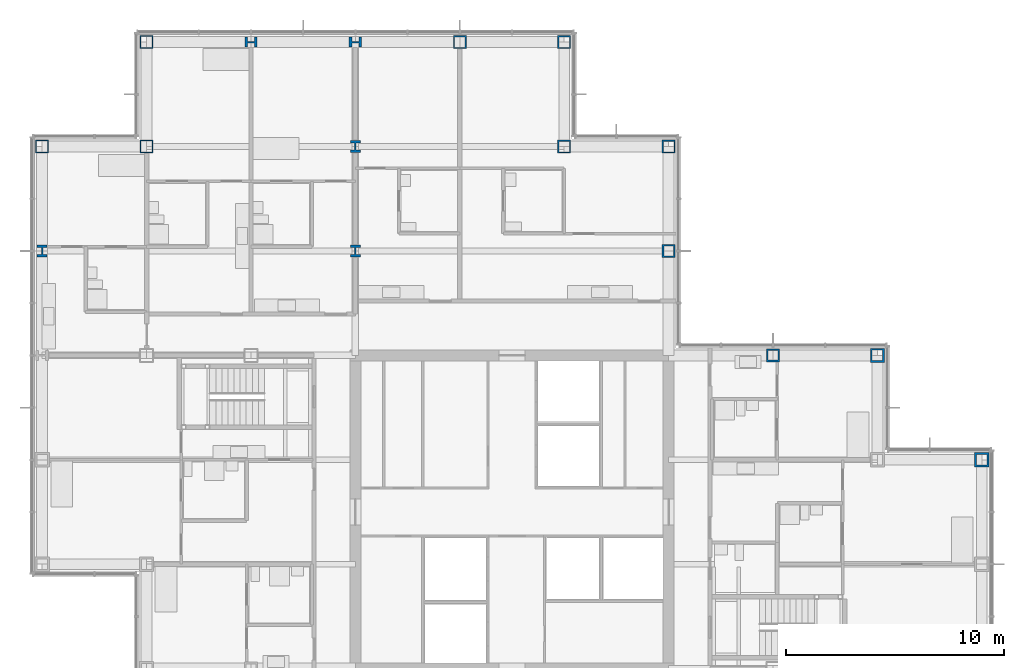
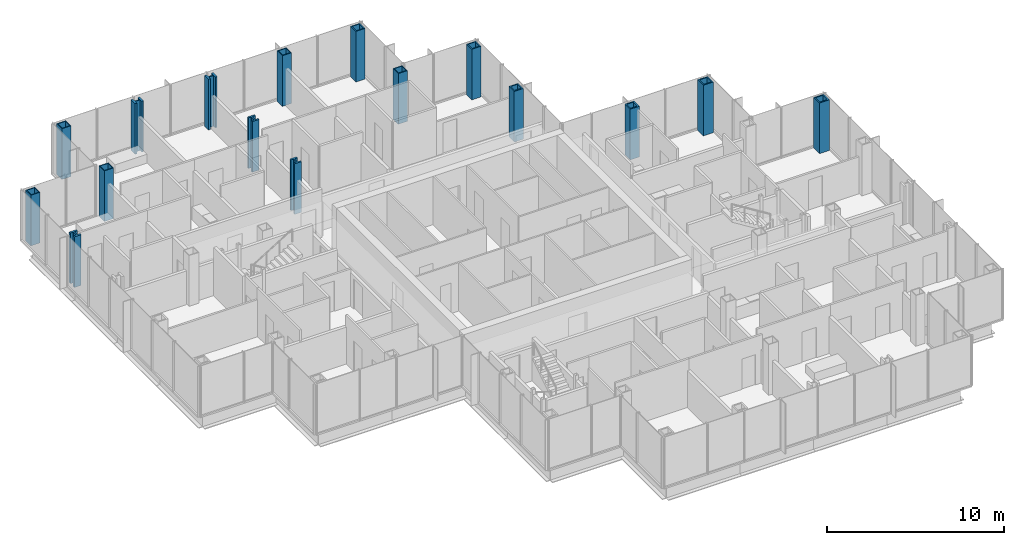
# One storey, part 5 of 20: 16 columns.
"""IFC4 building model written with IfcOpenShell, lengths in metres."""

import ifcopenshell
import ifcopenshell.guid

model = None  # the IFC model being written
_history = None  # IfcOwnerHistory: only IFC2X3 demands one
_inside = {}  # id of a spatial element -> (the spatial element, [elements in it])
_under = {}  # id of a project, library or spatial element -> (it, [spatial elements below it])
_declared = {}  # id of a project -> (the project, [libraries it declares])
_typed = {}  # id of a type object -> (the type object, [elements of that type])
_made_of = {}  # id of a material, layer set ... -> (it, [elements and type objects made of it])


def new_model(schema):
    """Start an empty IFC model of exactly this schema.

    Asked for "IFC4X3", IfcOpenShell would pick the latest addendum, in which some entities
    have other attributes; the version numbers below select the first issue.
    IFC2X3 requires an IfcOwnerHistory on every rooted entity: one is made here for all.
    """
    global model, _history
    if schema == "IFC4X3":
        model = ifcopenshell.file(schema_version=(4, 3, 0, 0))
    else:
        model = ifcopenshell.file(schema=schema)
    _inside.clear()
    _under.clear()
    _declared.clear()
    _typed.clear()
    _made_of.clear()
    _history = None
    if model.schema == "IFC2X3":
        org = make("IfcOrganization", Name="unknown")
        user = make(
            "IfcPersonAndOrganization",
            ThePerson=make("IfcPerson", FamilyName="unknown"),
            TheOrganization=org,
        )
        app = make(
            "IfcApplication",
            ApplicationDeveloper=org,
            Version="unknown",
            ApplicationFullName="unknown",
            ApplicationIdentifier="unknown",
        )
        _history = make(
            "IfcOwnerHistory",
            OwningUser=user,
            OwningApplication=app,
            ChangeAction="ADDED",
            CreationDate=0,
        )
    return model


def make(cls, **values):
    """One entity of the class cls with the attributes given. An attribute that is None is left unset."""
    return model.create_entity(
        cls, **{name: value for name, value in values.items() if value is not None}
    )


def rooted(cls, **values):
    """An entity with a GlobalId (a new one), such as an element, a storey or a relation."""
    return make(cls, GlobalId=ifcopenshell.guid.new(), OwnerHistory=_history, **values)


def si_unit(unit_type, name, prefix=None):
    """IfcSIUnit, for example si_unit("LENGTHUNIT", "METRE", prefix="MILLI")."""
    return make("IfcSIUnit", UnitType=unit_type, Prefix=prefix, Name=name)


def assignment(units):
    """IfcUnitAssignment: the units of a project."""
    return None if units is None else make("IfcUnitAssignment", Units=units)


def point(xyz):
    """IfcCartesianPoint."""
    return None if xyz is None else make("IfcCartesianPoint", Coordinates=xyz)


def direction(xyz):
    """IfcDirection."""
    return None if xyz is None else make("IfcDirection", DirectionRatios=xyz)


def frame(location, z_axis=None, x_axis=None):
    """IfcAxis2Placement3D, a coordinate frame: its origin and axes. An axis left out is left unset."""
    return make(
        "IfcAxis2Placement3D",
        Location=point(location),
        Axis=direction(z_axis),
        RefDirection=direction(x_axis),
    )


def frame_2d(location, x_axis=None):
    """IfcAxis2Placement2D, a coordinate frame in the plane: its origin and x axis."""
    return make(
        "IfcAxis2Placement2D", Location=point(location), RefDirection=direction(x_axis)
    )


def origin():
    """The frame at (0, 0, 0) with its axes left unset."""
    return frame((0.0, 0.0, 0.0))


def origin_2d():
    """The frame at (0, 0) in the plane with its x axis left unset."""
    return frame_2d((0.0, 0.0))


def place(relative_to, where):
    """IfcLocalPlacement: puts the frame where relative to a parent placement (None: the world)."""
    return make(
        "IfcLocalPlacement", PlacementRelTo=relative_to, RelativePlacement=where
    )


def context(
    kind, dimensions, precision=None, world=None, true_north=None, identifier=None
):
    """IfcGeometricRepresentationContext, for example the 3D "Model" context."""
    return make(
        "IfcGeometricRepresentationContext",
        ContextIdentifier=identifier,
        ContextType=kind,
        CoordinateSpaceDimension=dimensions,
        Precision=precision,
        WorldCoordinateSystem=world,
        TrueNorth=true_north,
    )


def subcontext(parent, identifier, kind, view, scale=None):
    """IfcGeometricRepresentationSubContext, for example "Body" below "Model"."""
    return make(
        "IfcGeometricRepresentationSubContext",
        ContextIdentifier=identifier,
        ContextType=kind,
        ParentContext=parent,
        TargetScale=scale,
        TargetView=view,
    )


def project(units=None, contexts=None):
    """IfcProject with its units and contexts."""
    return rooted(
        "IfcProject",
        Name="project",
        RepresentationContexts=contexts,
        UnitsInContext=assignment(units),
    )


def spatial(cls, under=None, at=None, **own):
    """A site, building, storey or space (cls), placed at a placement, below another one or the project."""
    s = rooted(cls, ObjectPlacement=at, **own)
    if under is not None:
        _under.setdefault(under.id(), (under, []))[1].append(s)
    return s


def profile(cls, at=None, kind="AREA", **sizes):
    """A parametric profile (cls). Its sizes go by their IFC names, for example OverallWidth=200.0."""
    return make(cls, ProfileType=kind, Position=at, **sizes)


def hollow_rectangle(**sizes):
    """IfcRectangleHollowProfileDef."""
    return profile("IfcRectangleHollowProfileDef", **sizes)


def i_section(**sizes):
    """IfcIShapeProfileDef."""
    return profile("IfcIShapeProfileDef", **sizes)


def extrude(swept, where, along, depth):
    """IfcExtrudedAreaSolid: the profile swept, set in the frame where, extruded along a direction by depth."""
    return make(
        "IfcExtrudedAreaSolid",
        SweptArea=swept,
        Position=where,
        ExtrudedDirection=direction(along),
        Depth=depth,
    )


def shape(context_of_items, identifier, shape_type, items):
    """IfcShapeRepresentation: the items that make up one representation, for example the "Body"."""
    return make(
        "IfcShapeRepresentation",
        ContextOfItems=context_of_items,
        RepresentationIdentifier=identifier,
        RepresentationType=shape_type,
        Items=items,
    )


def material(Name=None, Category=None):
    """IfcMaterial."""
    return make("IfcMaterial", Name=Name, Category=Category)


def material_profile(
    of_material, cross_section, Name=None, Category=None, Priority=None
):
    """IfcMaterialProfile: a cross section and its material."""
    return make(
        "IfcMaterialProfile",
        Name=Name,
        Material=of_material,
        Profile=cross_section,
        Priority=Priority,
        Category=Category,
    )


def profile_set(profiles, Name=None, composite=None):
    """IfcMaterialProfileSet."""
    return make(
        "IfcMaterialProfileSet",
        Name=Name,
        MaterialProfiles=profiles,
        CompositeProfile=composite,
    )


def made_of(thing, what):
    """Note that an element or type object is made of a material, layer set ...; save() writes the relation."""
    if what is not None:
        _made_of.setdefault(what.id(), (what, []))[1].append(thing)
    return thing


def type_object(cls, material=None, **own):
    """A type object (cls), such as IfcWallType, which elements share."""
    return made_of(rooted(cls, **own), material)


def element(
    cls,
    number,
    at=None,
    inside=None,
    cuts=None,
    type_object=None,
    material=None,
    context=None,
    identifier="Body",
    shape_type=None,
    held_by="IfcProductDefinitionShape",
    body=None,
    shapes=None,
    **own,
):
    """One element of the class cls, such as IfcWall. Its Tag is "e" and its number.

    at: its placement. inside: the storey or other place that contains it. cuts: it is an
    opening in that element (IfcRelVoidsElement). A single representation is given by context,
    identifier, shape_type and body (its items); several are given by shapes. held_by: the class
    of the entity that holds the representations. save() writes the other relations.
    """
    e = rooted(cls, Tag="e%d" % number, ObjectPlacement=at, **own)
    if body is not None:
        shapes = [shape(context, identifier, shape_type, body)]
    if shapes is not None:
        e.Representation = make(held_by, Representations=shapes)
    if inside is not None:
        _inside.setdefault(inside.id(), (inside, []))[1].append(e)
    if cuts is not None:
        rooted(
            "IfcRelVoidsElement", RelatingBuildingElement=cuts, RelatedOpeningElement=e
        )
    if type_object is not None:
        _typed.setdefault(type_object.id(), (type_object, []))[1].append(e)
    return made_of(e, material)


def aggregate(whole, parts):
    """IfcRelAggregates: a whole, such as a stair, and the parts it consists of."""
    return rooted("IfcRelAggregates", RelatingObject=whole, RelatedObjects=parts)


def save(model, path):
    """Write the relations noted so far, then the file.

    IfcRelAggregates (storeys below a building ...), IfcRelContainedInSpatialStructure (elements
    in a storey), IfcRelDefinesByType, IfcRelAssociatesMaterial and IfcRelDeclares: one each for
    every whole, place, type object, material and project.
    """
    for whole, parts in _under.values():
        aggregate(whole, parts)
    for where, things in _inside.values():
        rooted(
            "IfcRelContainedInSpatialStructure",
            RelatedElements=things,
            RelatingStructure=where,
        )
    for kind, things in _typed.values():
        rooted("IfcRelDefinesByType", RelatedObjects=things, RelatingType=kind)
    for what, things in _made_of.values():
        rooted("IfcRelAssociatesMaterial", RelatedObjects=things, RelatingMaterial=what)
    for by, libraries in _declared.values():
        rooted("IfcRelDeclares", RelatingContext=by, RelatedDefinitions=libraries)
    model.write(path)


model = new_model("IFC4")

# Units and contexts
model_context = context("Model", 3, precision=1e-05, world=origin(), true_north=direction((0.0, 1.0)))
body_context = subcontext(model_context, "Body", "Model", "MODEL_VIEW")
ifc_project = project(units=[si_unit("LENGTHUNIT", "METRE"), si_unit("AREAUNIT", "SQUARE_METRE"), si_unit("VOLUMEUNIT", "CUBIC_METRE"), si_unit("PLANEANGLEUNIT", "RADIAN"), si_unit("MASSUNIT", "GRAM", prefix="KILO")], contexts=[model_context])

# Site, building, storey
site_placement = place(None, origin())
site = spatial("IfcSite", under=ifc_project, at=site_placement, CompositionType="ELEMENT")
building_placement = place(site_placement, origin())
building = spatial("IfcBuilding", under=site, at=building_placement, Name="Kvirike Care Tower", CompositionType="ELEMENT")
storey_placement = place(building_placement, frame((0.0, 0.0, 105.0)))
storey = spatial("IfcBuildingStorey", under=building, at=storey_placement, Name="L28", CompositionType="ELEMENT", Elevation=105.0)

# Columns
ifc_material_1 = material(Name="Steel S460", Category="steel")
ifc_material_profile_1 = material_profile(ifc_material_1, hollow_rectangle(XDim=0.60009765625, YDim=0.60009765625, WallThickness=0.050048828125, at=origin_2d()), Name="BX 600x600x50")
ifc_profile_set_1 = profile_set([ifc_material_profile_1], Name="Steel S460")
column_type_1 = type_object("IfcColumnType", Name="COLUMN BX 600x600x50", PredefinedType="COLUMN", material=ifc_profile_set_1)
for number, where, z_axis, x_axis, name in (
    (1, (0.0, 52.800048828125, 0.0), (0.0, 0.0, 1.0), (0.0, 1.0, 0.0), "Column M3 L28"),
    (2, (4.800048828125, 52.800048828125, 0.0), (0.0, 0.0, 1.0), (0.0, 1.0, 0.0), "Column M4 L28"),
    (3, (4.800048828125, 57.60009765625, 0.0), (0.0, 0.0, 1.0), (0.0, 1.0, 0.0), "Column N4 L28"),
):
    element("IfcColumn", number, at=place(storey_placement, frame(where, z_axis=z_axis, x_axis=x_axis)), inside=storey, type_object=column_type_1, Name=name, PredefinedType="COLUMN", context=body_context, shape_type="SweptSolid", body=[
        extrude(hollow_rectangle(XDim=0.60009765625, YDim=0.60009765625, WallThickness=0.050048828125, at=origin_2d()), origin(), (0.0, 0.0, 1.0), 3.5),
    ])
ifc_material_2 = material(Name="Steel S460", Category="steel")
ifc_material_profile_2 = material_profile(ifc_material_2, hollow_rectangle(XDim=0.60009765625, YDim=0.60009765625, WallThickness=0.06005859375, at=origin_2d()), Name="BX 600x600x60")
ifc_profile_set_2 = profile_set([ifc_material_profile_2], Name="Steel S460")
column_type_2 = type_object("IfcColumnType", Name="COLUMN BX 600x600x60", PredefinedType="COLUMN", material=ifc_profile_set_2)
for number, where, z_axis, x_axis, name in (
    (4, (19.199951171875, 57.60009765625, 0.0), (0.0, 0.0, 1.0), (0.0, 1.0, 0.0), "Column N7 L28"),
    (5, (24.0, 52.800048828125, 0.0), (0.0, 0.0, 1.0), (0.0, 1.0, 0.0), "Column M8 L28"),
    (6, (24.0, 57.60009765625, 0.0), (0.0, 0.0, 1.0), (0.0, 1.0, 0.0), "Column N8 L28"),
    (7, (28.800048828125, 52.800048828125, 0.0), (0.0, 0.0, 1.0), (0.0, 1.0, 0.0), "Column M9 L28"),
):
    element("IfcColumn", number, at=place(storey_placement, frame(where, z_axis=z_axis, x_axis=x_axis)), inside=storey, type_object=column_type_2, Name=name, PredefinedType="COLUMN", context=body_context, shape_type="SweptSolid", body=[
        extrude(hollow_rectangle(XDim=0.60009765625, YDim=0.60009765625, WallThickness=0.06005859375, at=origin_2d()), origin(), (0.0, 0.0, 1.0), 3.5),
    ])
ifc_material_3 = material(Name="Steel S460", Category="steel")
ifc_material_profile_3 = material_profile(ifc_material_3, hollow_rectangle(XDim=0.60009765625, YDim=0.60009765625, WallThickness=0.080078125, at=origin_2d()), Name="BX 600x600x80")
ifc_profile_set_3 = profile_set([ifc_material_profile_3], Name="Steel S460")
column_type_3 = type_object("IfcColumnType", Name="COLUMN BX 600x600x80", PredefinedType="COLUMN", material=ifc_profile_set_3)
for number, where, z_axis, x_axis, name in (
    (8, (28.800048828125, 48.0, 0.0), (0.0, 0.0, 1.0), (1.0, 0.0, 0.0), "Column L9 L28"),
    (9, (33.60009765625, 43.199951171875, 0.0), (0.0, 0.0, 1.0), (0.0, 1.0, 0.0), "Column K10 L28"),
):
    element("IfcColumn", number, at=place(storey_placement, frame(where, z_axis=z_axis, x_axis=x_axis)), inside=storey, type_object=column_type_3, Name=name, PredefinedType="COLUMN", context=body_context, shape_type="SweptSolid", body=[
        extrude(hollow_rectangle(XDim=0.60009765625, YDim=0.60009765625, WallThickness=0.080078125, at=origin_2d()), origin(), (0.0, 0.0, 1.0), 3.5),
    ])
ifc_material_4 = material(Name="Steel S460", Category="steel")
ifc_material_profile_4 = material_profile(ifc_material_4, hollow_rectangle(XDim=0.64990234375, YDim=0.64990234375, WallThickness=0.080078125, at=origin_2d()), Name="BX 650x650x80")
ifc_profile_set_4 = profile_set([ifc_material_profile_4], Name="Steel S460")
column_type_4 = type_object("IfcColumnType", Name="COLUMN BX 650x650x80", PredefinedType="COLUMN", material=ifc_profile_set_4)
for number, where, z_axis, x_axis, name in (
    (10, (38.39990234375, 43.199951171875, 0.0), (0.0, 0.0, 1.0), (0.0, 1.0, 0.0), "Column K11 L28"),
    (11, (43.199951171875, 38.39990234375, 0.0), (0.0, 0.0, 1.0), (0.0, 1.0, 0.0), "Column J12 L28"),
):
    element("IfcColumn", number, at=place(storey_placement, frame(where, z_axis=z_axis, x_axis=x_axis)), inside=storey, type_object=column_type_4, Name=name, PredefinedType="COLUMN", context=body_context, shape_type="SweptSolid", body=[
        extrude(hollow_rectangle(XDim=0.64990234375, YDim=0.64990234375, WallThickness=0.080078125, at=origin_2d()), origin(), (0.0, 0.0, 1.0), 3.5),
    ])
ifc_material_5 = material(Name="Steel S460", Category="steel")
ifc_material_profile_5 = material_profile(ifc_material_5, i_section(OverallWidth=0.4541015625, OverallDepth=0.569091796875, WebThickness=0.077880859375, FlangeThickness=0.125, FilletRadius=0.014892578125, at=origin_2d()), Name="HD 400x1086")
ifc_profile_set_5 = profile_set([ifc_material_profile_5], Name="Steel S460")
column_type_5 = type_object("IfcColumnType", Name="COLUMN HD 400x1086", PredefinedType="COLUMN", material=ifc_profile_set_5)
for number, where, z_axis, x_axis, name in (
    (12, (0.0, 48.0, 0.0), (0.0, 0.0, 1.0), (1.0, 0.0, 0.0), "Column L3 L28"),
    (13, (9.60009765625, 57.60009765625, 0.0), (0.0, 0.0, 1.0), (0.0, 1.0, 0.0), "Column N5 L28"),
    (14, (14.39990234375, 57.60009765625, 0.0), (0.0, 0.0, 1.0), (0.0, 1.0, 0.0), "Column N6 L28"),
):
    element("IfcColumn", number, at=place(storey_placement, frame(where, z_axis=z_axis, x_axis=x_axis)), inside=storey, type_object=column_type_5, Name=name, PredefinedType="COLUMN", context=body_context, shape_type="SweptSolid", body=[
        extrude(i_section(OverallWidth=0.4541015625, OverallDepth=0.569091796875, WebThickness=0.077880859375, FlangeThickness=0.125, FilletRadius=0.014892578125, at=origin_2d()), origin(), (0.0, 0.0, 1.0), 3.5),
    ])
ifc_material_6 = material(Name="Steel S460", Category="steel")
ifc_material_profile_6 = material_profile(ifc_material_6, i_section(OverallWidth=0.447998046875, OverallDepth=0.550048828125, WebThickness=0.072021484375, FlangeThickness=0.114990234375, FilletRadius=0.014892578125, at=origin_2d()), Name="HD 400x990")
ifc_profile_set_6 = profile_set([ifc_material_profile_6], Name="Steel S460")
column_type_6 = type_object("IfcColumnType", Name="COLUMN HD 400x990", PredefinedType="COLUMN", material=ifc_profile_set_6)
for number, where, z_axis, x_axis, name in (
    (15, (14.39990234375, 48.0, 0.0), (0.0, 0.0, 1.0), (1.0, 0.0, 0.0), "Column L6 L28"),
    (16, (14.39990234375, 52.800048828125, 0.0), (0.0, 0.0, 1.0), (1.0, 0.0, 0.0), "Column M6 L28"),
):
    element("IfcColumn", number, at=place(storey_placement, frame(where, z_axis=z_axis, x_axis=x_axis)), inside=storey, type_object=column_type_6, Name=name, PredefinedType="COLUMN", context=body_context, shape_type="SweptSolid", body=[
        extrude(i_section(OverallWidth=0.447998046875, OverallDepth=0.550048828125, WebThickness=0.072021484375, FlangeThickness=0.114990234375, FilletRadius=0.014892578125, at=origin_2d()), origin(), (0.0, 0.0, 1.0), 3.5),
    ])

save(model, "model.ifc")
